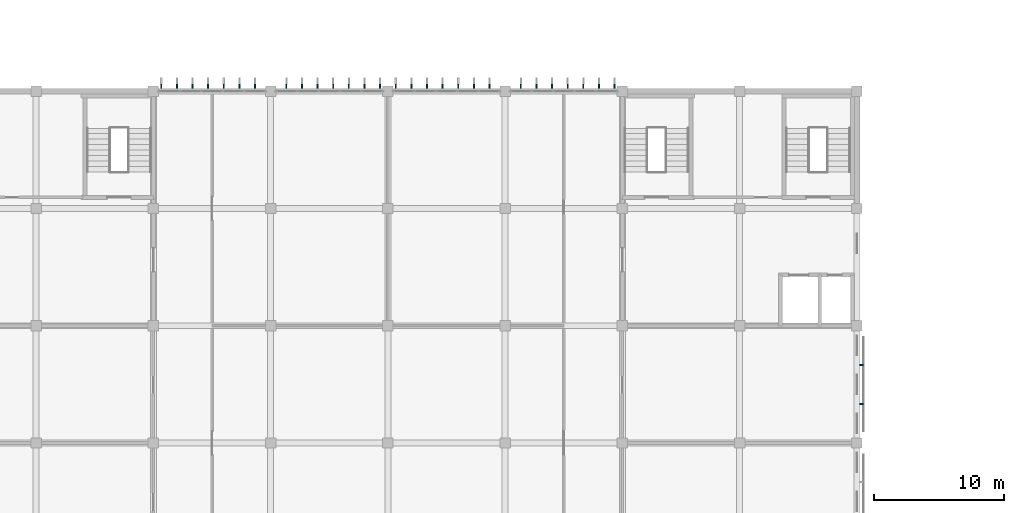
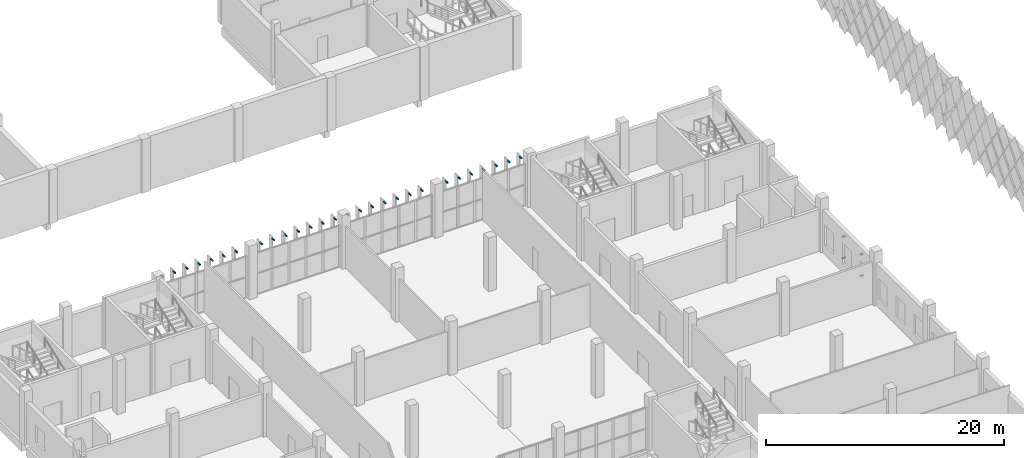
# One storey, part 138 of 185: 32 discrete accessories.
"""IFC4 building model written with IfcOpenShell, lengths in metres."""

from ifc_helpers import new_model, si_unit, direction, frame, origin, origin_2d, place, context, subcontext, project, spatial, rectangle, extrude, material, type_object, element, save


model = new_model("IFC4")

# Units and contexts
model_context = context("Model", 3, precision=1e-05, world=origin(), true_north=direction((0.0, 1.0)))
body_context = subcontext(model_context, "Body", "Model", "MODEL_VIEW")
ifc_project = project(units=[si_unit("LENGTHUNIT", "METRE"), si_unit("AREAUNIT", "SQUARE_METRE"), si_unit("VOLUMEUNIT", "CUBIC_METRE"), si_unit("PLANEANGLEUNIT", "RADIAN"), si_unit("MASSUNIT", "GRAM", prefix="KILO")], contexts=[model_context])

# Site, building, storey
site_placement = place(None, origin())
site = spatial("IfcSite", under=ifc_project, at=site_placement, CompositionType="ELEMENT")
building_placement = place(site_placement, origin())
building = spatial("IfcBuilding", under=site, at=building_placement, Name="Opaline Strait Convention Centre", CompositionType="ELEMENT")
storey_placement = place(building_placement, frame((0.0, 0.0, 6.0)))
storey = spatial("IfcBuildingStorey", under=building, at=storey_placement, Name="L01", CompositionType="ELEMENT", Elevation=6.0)

# Discrete accessories
ifc_material = material(Name="Stainless steel 316", Category="steel")
discrete_accessory_type_1 = type_object("IfcDiscreteAccessoryType", Name="Fin bracket stainless steel 316", PredefinedType="BRACKET", material=ifc_material)
for number, where, z_axis, x_axis, name in (
    (1, (27.60009765625, 99.387451171875, 4.719970703125), (0.0, 0.0, 1.0), (1.0, 0.0, 0.0), "Fin bracket N L01"),
    (2, (28.800048828125, 99.387451171875, 4.719970703125), (0.0, 0.0, 1.0), (1.0, 0.0, 0.0), "Fin bracket N L01"),
    (3, (30.0, 99.387451171875, 4.719970703125), (0.0, 0.0, 1.0), (1.0, 0.0, 0.0), "Fin bracket N L01"),
    (4, (31.199951171875, 99.387451171875, 4.719970703125), (0.0, 0.0, 1.0), (1.0, 0.0, 0.0), "Fin bracket N L01"),
    (5, (32.39990234375, 99.387451171875, 4.719970703125), (0.0, 0.0, 1.0), (1.0, 0.0, 0.0), "Fin bracket N L01"),
    (6, (33.60009765625, 99.387451171875, 4.719970703125), (0.0, 0.0, 1.0), (1.0, 0.0, 0.0), "Fin bracket N L01"),
    (7, (34.800048828125, 99.387451171875, 4.719970703125), (0.0, 0.0, 1.0), (1.0, 0.0, 0.0), "Fin bracket N L01"),
    (8, (37.199951171875, 99.387451171875, 4.719970703125), (0.0, 0.0, 1.0), (1.0, 0.0, 0.0), "Fin bracket N L01"),
    (9, (38.39990234375, 99.387451171875, 4.719970703125), (0.0, 0.0, 1.0), (1.0, 0.0, 0.0), "Fin bracket N L01"),
    (10, (39.60009765625, 99.387451171875, 4.719970703125), (0.0, 0.0, 1.0), (1.0, 0.0, 0.0), "Fin bracket N L01"),
    (11, (40.800048828125, 99.387451171875, 4.719970703125), (0.0, 0.0, 1.0), (1.0, 0.0, 0.0), "Fin bracket N L01"),
    (12, (42.0, 99.387451171875, 4.719970703125), (0.0, 0.0, 1.0), (1.0, 0.0, 0.0), "Fin bracket N L01"),
    (13, (43.199951171875, 99.387451171875, 4.719970703125), (0.0, 0.0, 1.0), (1.0, 0.0, 0.0), "Fin bracket N L01"),
    (14, (44.39990234375, 99.387451171875, 4.719970703125), (0.0, 0.0, 1.0), (1.0, 0.0, 0.0), "Fin bracket N L01"),
    (15, (45.60009765625, 99.387451171875, 4.719970703125), (0.0, 0.0, 1.0), (1.0, 0.0, 0.0), "Fin bracket N L01"),
    (16, (46.800048828125, 99.387451171875, 4.719970703125), (0.0, 0.0, 1.0), (1.0, 0.0, 0.0), "Fin bracket N L01"),
    (17, (48.0, 99.387451171875, 4.719970703125), (0.0, 0.0, 1.0), (1.0, 0.0, 0.0), "Fin bracket N L01"),
    (18, (49.199951171875, 99.387451171875, 4.719970703125), (0.0, 0.0, 1.0), (1.0, 0.0, 0.0), "Fin bracket N L01"),
    (19, (50.39990234375, 99.387451171875, 4.719970703125), (0.0, 0.0, 1.0), (1.0, 0.0, 0.0), "Fin bracket N L01"),
    (20, (51.60009765625, 99.387451171875, 4.719970703125), (0.0, 0.0, 1.0), (1.0, 0.0, 0.0), "Fin bracket N L01"),
    (21, (52.800048828125, 99.387451171875, 4.719970703125), (0.0, 0.0, 1.0), (1.0, 0.0, 0.0), "Fin bracket N L01"),
    (22, (55.199951171875, 99.387451171875, 4.719970703125), (0.0, 0.0, 1.0), (1.0, 0.0, 0.0), "Fin bracket N L01"),
    (23, (56.39990234375, 99.387451171875, 4.719970703125), (0.0, 0.0, 1.0), (1.0, 0.0, 0.0), "Fin bracket N L01"),
    (24, (57.60009765625, 99.387451171875, 4.719970703125), (0.0, 0.0, 1.0), (1.0, 0.0, 0.0), "Fin bracket N L01"),
    (25, (58.800048828125, 99.387451171875, 4.719970703125), (0.0, 0.0, 1.0), (1.0, 0.0, 0.0), "Fin bracket N L01"),
    (26, (60.0, 99.387451171875, 4.719970703125), (0.0, 0.0, 1.0), (1.0, 0.0, 0.0), "Fin bracket N L01"),
    (27, (61.199951171875, 99.387451171875, 4.719970703125), (0.0, 0.0, 1.0), (1.0, 0.0, 0.0), "Fin bracket N L01"),
    (28, (62.39990234375, 99.387451171875, 4.719970703125), (0.0, 0.0, 1.0), (1.0, 0.0, 0.0), "Fin bracket N L01"),
):
    element("IfcDiscreteAccessory", number, at=place(storey_placement, frame(where, z_axis=z_axis, x_axis=x_axis)), inside=storey, type_object=discrete_accessory_type_1, Name=name, PredefinedType="BRACKET", context=body_context, shape_type="SweptSolid", body=[
        extrude(rectangle(XDim=0.10009765625, YDim=0.324951171875, at=origin_2d()), origin(), (0.0, 0.0, 1.0), 0.10009765625),
    ])
discrete_accessory_type_2 = type_object("IfcDiscreteAccessoryType", Name="Screen bracket 300 stainless steel 316", PredefinedType="BRACKET", material=ifc_material)
for number, where, z_axis, x_axis, name in (
    (29, (81.35009765625, 75.0, 0.75), (0.0, 0.0, 1.0), (1.0, 0.0, 0.0), "Screen bracket L01 bay 8"),
    (30, (81.35009765625, 75.0, 2.949951171875), (0.0, 0.0, 1.0), (1.0, 0.0, 0.0), "Screen bracket L01 bay 8"),
    (31, (81.35009765625, 78.0, 0.75), (0.0, 0.0, 1.0), (1.0, 0.0, 0.0), "Screen bracket L01 bay 8"),
    (32, (81.35009765625, 78.0, 2.949951171875), (0.0, 0.0, 1.0), (1.0, 0.0, 0.0), "Screen bracket L01 bay 8"),
):
    element("IfcDiscreteAccessory", number, at=place(storey_placement, frame(where, z_axis=z_axis, x_axis=x_axis)), inside=storey, type_object=discrete_accessory_type_2, Name=name, PredefinedType="BRACKET", context=body_context, shape_type="SweptSolid", body=[
        extrude(rectangle(XDim=0.300048828125, YDim=0.10009765625, at=origin_2d()), origin(), (0.0, 0.0, 1.0), 0.10009765625),
    ])

save(model, "model.ifc")
